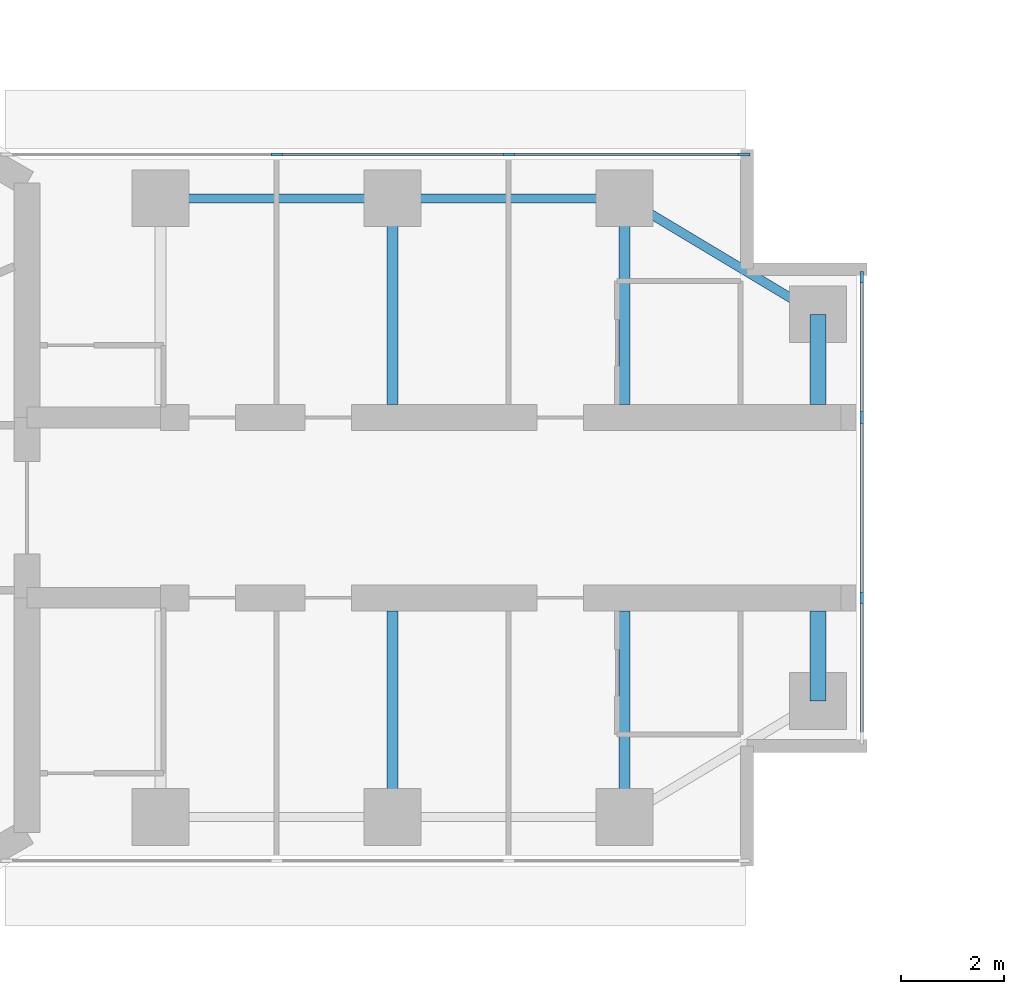
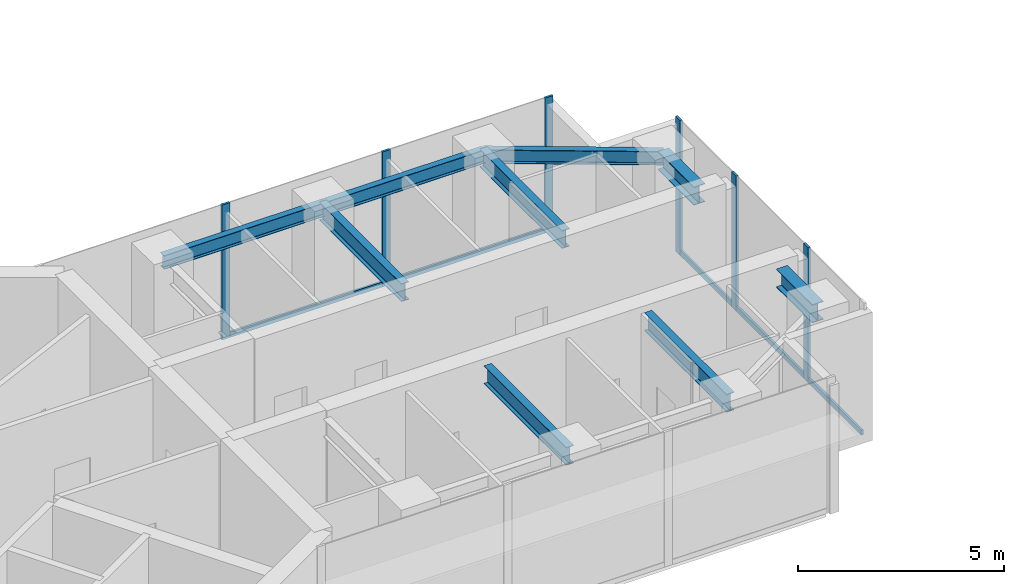
# One storey, part 7 of 18: 11 members, 9 beams, 2 elements without a shape of their own.
"""IFC4 building model written with IfcOpenShell, lengths in metres."""

from ifc_helpers import new_model, si_unit, direction, frame, origin, origin_2d, place, context, subcontext, project, spatial, rectangle, i_section, extrude, material, material_profile, profile_set, type_object, element, aggregate, save


model = new_model("IFC4")

# Units and contexts
model_context = context("Model", 3, precision=1e-05, world=origin(), true_north=direction((0.0, 1.0)))
body_context = subcontext(model_context, "Body", "Model", "MODEL_VIEW")
ifc_project = project(units=[si_unit("LENGTHUNIT", "METRE"), si_unit("AREAUNIT", "SQUARE_METRE"), si_unit("VOLUMEUNIT", "CUBIC_METRE"), si_unit("PLANEANGLEUNIT", "RADIAN"), si_unit("MASSUNIT", "GRAM", prefix="KILO")], contexts=[model_context])

# Site, building, storey
site_placement = place(None, origin())
site = spatial("IfcSite", under=ifc_project, at=site_placement, CompositionType="ELEMENT")
building_placement = place(site_placement, origin())
building = spatial("IfcBuilding", under=site, at=building_placement, Name="Upepo Twin Towers", CompositionType="ELEMENT")
storey_placement = place(building_placement, frame((0.0, 0.0, 222.5)))
storey = spatial("IfcBuildingStorey", under=building, at=storey_placement, Name="L54", CompositionType="ELEMENT", Elevation=222.5)

# Beams
ifc_material_1 = material(Name="Steel S355", Category="steel")
ifc_material_profile_1 = material_profile(ifc_material_1, i_section(OverallWidth=0.177978515625, OverallDepth=0.406494140625, WebThickness=0.0078125, FlangeThickness=0.0126953125, FilletRadius=0.01025390625, at=origin_2d()), Name="UB 406x178x60")
ifc_profile_set_1 = profile_set([ifc_material_profile_1], Name="Steel S355")
beam_type_1 = type_object("IfcBeamType", Name="Beam UB 406x178x60", PredefinedType="BEAM", material=ifc_profile_set_1)
for number, where, z_axis, x_axis, name in (
    (1, (13.5, 6.0, 3.5966796875), (1.0, 0.0, 0.0), (0.0, 1.0, 0.0), "T1 edge beam AL 13.5-18.0"),
    (2, (18.0, 6.0, 3.5966796875), (1.0, 0.0, 0.0), (0.0, 1.0, 0.0), "T1 edge beam AL 18.0-22.5"),
):
    element("IfcBeam", number, at=place(storey_placement, frame(where, z_axis=z_axis, x_axis=x_axis)), inside=storey, type_object=beam_type_1, Name=name, PredefinedType="BEAM", context=body_context, shape_type="SweptSolid", body=[
        extrude(i_section(OverallWidth=0.177978515625, OverallDepth=0.406494140625, WebThickness=0.0078125, FlangeThickness=0.0126953125, FilletRadius=0.01025390625, at=origin_2d()), origin(), (0.0, 0.0, 1.0), 4.5),
    ])
beam_placement = place(storey_placement, frame((22.5, 6.0, 3.5966796875), z_axis=(0.857492925713, -0.514495755428, 0.0), x_axis=(0.514495755428, 0.857492925713, 0.0)))
element("IfcBeam", 3, at=beam_placement, inside=storey, type_object=beam_type_1, Name="T1 nose edge beam AL", PredefinedType="BEAM", context=body_context, shape_type="SweptSolid", body=[
    extrude(i_section(OverallWidth=0.177978515625, OverallDepth=0.406494140625, WebThickness=0.0078125, FlangeThickness=0.0126953125, FilletRadius=0.01025390625, at=origin_2d()), origin(), (0.0, 0.0, 1.0), 4.373291015625),
])
ifc_material_2 = material(Name="Steel S355", Category="steel")
ifc_material_profile_2 = material_profile(ifc_material_2, i_section(OverallWidth=0.209228515625, OverallDepth=0.533203125, WebThickness=0.010009765625, FlangeThickness=0.015625, FilletRadius=0.0126953125, at=origin_2d()), Name="UB 533x210x92")
ifc_profile_set_2 = profile_set([ifc_material_profile_2], Name="Steel S355")
beam_type_2 = type_object("IfcBeamType", Name="Beam UB 533x210x92", PredefinedType="BEAM", material=ifc_profile_set_2)
for number, where, z_axis, x_axis, name in (
    (4, (18.0, 6.0, 3.533447265625), (0.0, -1.0, 0.0), (1.0, 0.0, 0.0), "T1 girder AL at 18.0"),
    (5, (22.5, 6.0, 3.533447265625), (0.0, -1.0, 0.0), (1.0, 0.0, 0.0), "T1 girder AL at 22.5"),
    (6, (18.0, -6.0, 3.533447265625), (0.0, 1.0, 0.0), (-1.0, 0.0, 0.0), "T1 girder AR at 18.0"),
    (7, (22.5, -6.0, 3.533447265625), (0.0, 1.0, 0.0), (-1.0, 0.0, 0.0), "T1 girder AR at 22.5"),
):
    element("IfcBeam", number, at=place(storey_placement, frame(where, z_axis=z_axis, x_axis=x_axis)), inside=storey, type_object=beam_type_2, Name=name, PredefinedType="BEAM", context=body_context, shape_type="SweptSolid", body=[
        extrude(i_section(OverallWidth=0.209228515625, OverallDepth=0.533203125, WebThickness=0.010009765625, FlangeThickness=0.015625, FilletRadius=0.0126953125, at=origin_2d()), origin(), (0.0, 0.0, 1.0), 4.0),
    ])
ifc_material_3 = material(Name="Steel S355", Category="steel")
ifc_material_profile_3 = material_profile(ifc_material_3, i_section(OverallWidth=0.31201171875, OverallDepth=0.54345703125, WebThickness=0.0126953125, FlangeThickness=0.020263671875, FilletRadius=0.0126953125, at=origin_2d()), Name="UB 533x312x150")
ifc_profile_set_3 = profile_set([ifc_material_profile_3], Name="Steel S355")
beam_type_3 = type_object("IfcBeamType", Name="Beam UB 533x312x150", PredefinedType="BEAM", material=ifc_profile_set_3)
for number, where, z_axis, x_axis, name in (
    (8, (26.25, 3.75, 3.5283203125), (0.0, -1.0, 0.0), (1.0, 0.0, 0.0), "T1 nose beam AL"),
    (9, (26.25, -3.75, 3.5283203125), (0.0, 1.0, 0.0), (-1.0, 0.0, 0.0), "T1 nose beam AR"),
):
    element("IfcBeam", number, at=place(storey_placement, frame(where, z_axis=z_axis, x_axis=x_axis)), inside=storey, type_object=beam_type_3, Name=name, PredefinedType="BEAM", context=body_context, shape_type="SweptSolid", body=[
        extrude(i_section(OverallWidth=0.31201171875, OverallDepth=0.54345703125, WebThickness=0.0126953125, FlangeThickness=0.020263671875, FilletRadius=0.0126953125, at=origin_2d()), origin(), (0.0, 0.0, 1.0), 1.75),
    ])

# Curtain wall, members
ifc_material_4 = material(Name="Aluminium and fritted glass", Category="aluminium")
curtain_wall_type = type_object("IfcCurtainWallType", Name="Tower curtain wall TW3, fritted glass", PredefinedType="NOTDEFINED", material=ifc_material_4)
curtain_wall_1_placement = place(storey_placement, origin())
curtain_wall_1 = element("IfcCurtainWall", 10, at=curtain_wall_1_placement, inside=storey, type_object=curtain_wall_type, Name="T1 L54 wing A flank L curtain wall", PredefinedType="NOTDEFINED")
ifc_material_5 = material(Name="Aluminium mullion", Category="aluminium")
ifc_material_profile_4 = material_profile(ifc_material_5, rectangle(XDim=0.06494140625, YDim=0.22509765625, at=origin_2d()), Name="MULLION 65x225")
ifc_profile_set_4 = profile_set([ifc_material_profile_4], Name="Aluminium mullion")
member_type_1 = type_object("IfcMemberType", Name="Mullion 65x225 TW3", PredefinedType="MULLION", material=ifc_profile_set_4)
member_1_placement = place(storey_placement, frame((15.75, 6.85009765625, 0.0), z_axis=(0.0, 0.0, 1.0), x_axis=(0.0, 1.0, 0.0)))
member_1 = element("IfcMember", 11, at=member_1_placement, type_object=member_type_1, Name="T1 L54 wing A flank L curtain wall mullion 2", PredefinedType="MULLION", context=body_context, shape_type="SweptSolid", body=[
    extrude(rectangle(XDim=0.06494140625, YDim=0.22509765625, at=origin_2d()), origin(), (0.0, 0.0, 1.0), 4.0),
])
member_2_placement = place(storey_placement, frame((20.25, 6.85009765625, 0.0), z_axis=(0.0, 0.0, 1.0), x_axis=(0.0, 1.0, 0.0)))
member_2 = element("IfcMember", 12, at=member_2_placement, type_object=member_type_1, Name="T1 L54 wing A flank L curtain wall mullion 3", PredefinedType="MULLION", context=body_context, shape_type="SweptSolid", body=[
    extrude(rectangle(XDim=0.06494140625, YDim=0.22509765625, at=origin_2d()), origin(), (0.0, 0.0, 1.0), 4.0),
])
member_3_placement = place(storey_placement, frame((24.8173828125, 6.85009765625, 0.0), z_axis=(0.0, 0.0, 1.0), x_axis=(0.0, 1.0, 0.0)))
member_3 = element("IfcMember", 13, at=member_3_placement, type_object=member_type_1, Name="T1 L54 wing A flank L curtain wall mullion 4", PredefinedType="MULLION", context=body_context, shape_type="SweptSolid", body=[
    extrude(rectangle(XDim=0.06494140625, YDim=0.22509765625, at=origin_2d()), origin(), (0.0, 0.0, 1.0), 4.0),
])

curtain_wall_2_placement = place(storey_placement, origin())
curtain_wall_2 = element("IfcCurtainWall", 14, at=curtain_wall_2_placement, inside=storey, type_object=curtain_wall_type, Name="T1 L54 wing A nose curtain wall", PredefinedType="NOTDEFINED")
member_4_placement = place(storey_placement, frame((27.10009765625, -1.75, 0.0), z_axis=(0.0, 0.0, 1.0), x_axis=(-1.0, 0.0, 0.0)))
member_4 = element("IfcMember", 15, at=member_4_placement, type_object=member_type_1, Name="T1 L54 wing A nose curtain wall mullion 2", PredefinedType="MULLION", context=body_context, shape_type="SweptSolid", body=[
    extrude(rectangle(XDim=0.06494140625, YDim=0.22509765625, at=origin_2d()), origin(), (0.0, 0.0, 1.0), 4.0),
])
member_5_placement = place(storey_placement, frame((27.10009765625, 1.75, 0.0), z_axis=(0.0, 0.0, 1.0), x_axis=(-1.0, 0.0, 0.0)))
member_5 = element("IfcMember", 16, at=member_5_placement, type_object=member_type_1, Name="T1 L54 wing A nose curtain wall mullion 3", PredefinedType="MULLION", context=body_context, shape_type="SweptSolid", body=[
    extrude(rectangle(XDim=0.06494140625, YDim=0.22509765625, at=origin_2d()), origin(), (0.0, 0.0, 1.0), 4.0),
])
member_6_placement = place(storey_placement, frame((27.10009765625, 4.467529296875, 0.0), z_axis=(0.0, 0.0, 1.0), x_axis=(-1.0, 0.0, 0.0)))
member_6 = element("IfcMember", 17, at=member_6_placement, type_object=member_type_1, Name="T1 L54 wing A nose curtain wall mullion 4", PredefinedType="MULLION", context=body_context, shape_type="SweptSolid", body=[
    extrude(rectangle(XDim=0.06494140625, YDim=0.22509765625, at=origin_2d()), origin(), (0.0, 0.0, 1.0), 4.0),
])

# Member
ifc_material_6 = material(Name="Aluminium transom", Category="aluminium")
ifc_material_profile_5 = material_profile(ifc_material_6, rectangle(XDim=0.06494140625, YDim=0.14990234375, at=origin_2d()), Name="TRANSOM 65x150")
ifc_profile_set_5 = profile_set([ifc_material_profile_5], Name="Aluminium transom")
member_type_2 = type_object("IfcMemberType", Name="Transom 65x150 TW3", PredefinedType="USERDEFINED", material=ifc_profile_set_5)
member_7_placement = place(storey_placement, frame((15.782470703125, 6.85009765625, 0.074951171875), z_axis=(1.0, 0.0, 0.0), x_axis=(0.0, 1.0, 0.0)))
member_7 = element("IfcMember", 18, at=member_7_placement, type_object=member_type_2, Name="T1 L54 wing A flank L curtain wall transom 2", ObjectType="TRANSOM", PredefinedType="USERDEFINED", context=body_context, shape_type="SweptSolid", body=[
    extrude(rectangle(XDim=0.06494140625, YDim=0.14990234375, at=origin_2d()), origin(), (0.0, 0.0, 1.0), 4.43505859375),
])

member_8_placement = place(storey_placement, frame((20.282470703125, 6.85009765625, 0.074951171875), z_axis=(1.0, 0.0, 0.0), x_axis=(0.0, 1.0, 0.0)))
member_8 = element("IfcMember", 19, at=member_8_placement, type_object=member_type_2, Name="T1 L54 wing A flank L curtain wall transom 3", ObjectType="TRANSOM", PredefinedType="USERDEFINED", context=body_context, shape_type="SweptSolid", body=[
    extrude(rectangle(XDim=0.06494140625, YDim=0.14990234375, at=origin_2d()), origin(), (0.0, 0.0, 1.0), 4.50244140625),
])

aggregate(curtain_wall_1, [member_1, member_2, member_3, member_7, member_8])

member_9_placement = place(storey_placement, frame((27.10009765625, -4.43505859375, 0.074951171875), z_axis=(0.0, 1.0, 0.0), x_axis=(-1.0, 0.0, 0.0)))
member_9 = element("IfcMember", 20, at=member_9_placement, type_object=member_type_2, Name="T1 L54 wing A nose curtain wall transom 1", ObjectType="TRANSOM", PredefinedType="USERDEFINED", context=body_context, shape_type="SweptSolid", body=[
    extrude(rectangle(XDim=0.06494140625, YDim=0.14990234375, at=origin_2d()), origin(), (0.0, 0.0, 1.0), 2.652587890625),
])

member_10_placement = place(storey_placement, frame((27.10009765625, -1.717529296875, 0.074951171875), z_axis=(0.0, 1.0, 0.0), x_axis=(-1.0, 0.0, 0.0)))
member_10 = element("IfcMember", 21, at=member_10_placement, type_object=member_type_2, Name="T1 L54 wing A nose curtain wall transom 2", ObjectType="TRANSOM", PredefinedType="USERDEFINED", context=body_context, shape_type="SweptSolid", body=[
    extrude(rectangle(XDim=0.06494140625, YDim=0.14990234375, at=origin_2d()), origin(), (0.0, 0.0, 1.0), 3.43505859375),
])

member_11_placement = place(storey_placement, frame((27.10009765625, 1.782470703125, 0.074951171875), z_axis=(0.0, 1.0, 0.0), x_axis=(-1.0, 0.0, 0.0)))
member_11 = element("IfcMember", 22, at=member_11_placement, type_object=member_type_2, Name="T1 L54 wing A nose curtain wall transom 3", ObjectType="TRANSOM", PredefinedType="USERDEFINED", context=body_context, shape_type="SweptSolid", body=[
    extrude(rectangle(XDim=0.06494140625, YDim=0.14990234375, at=origin_2d()), origin(), (0.0, 0.0, 1.0), 2.652587890625),
])

aggregate(curtain_wall_2, [member_4, member_5, member_6, member_9, member_10, member_11])

save(model, "model.ifc")
